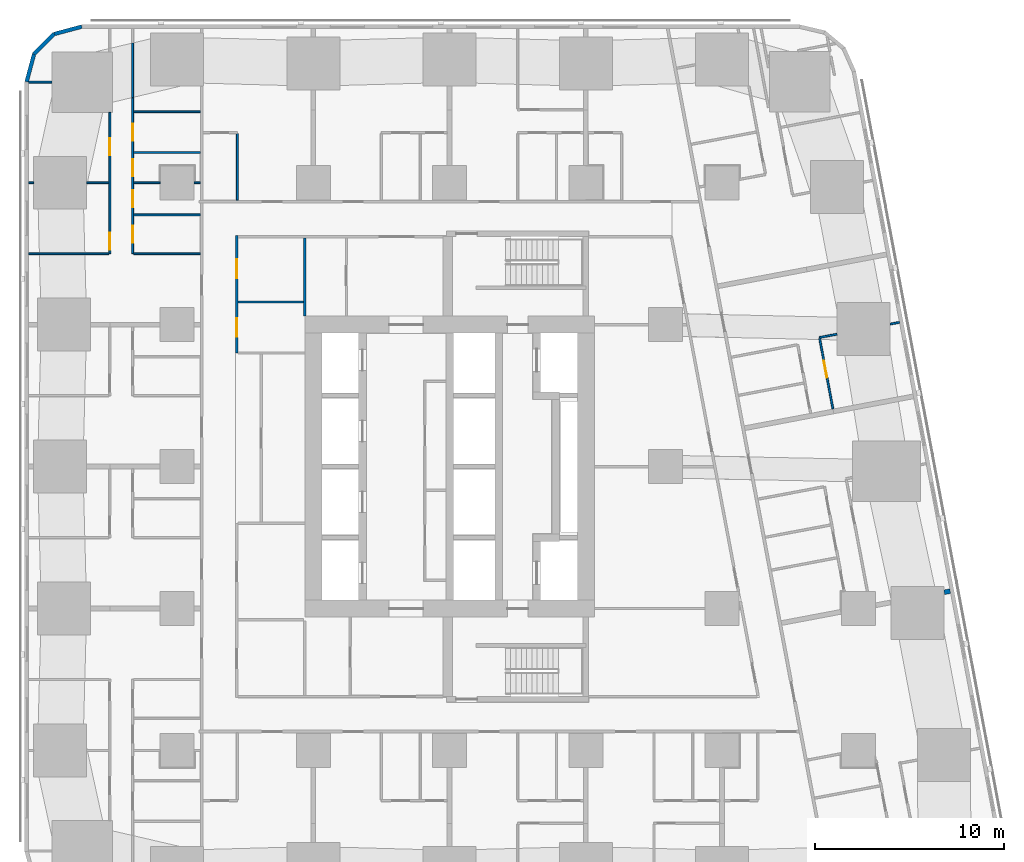
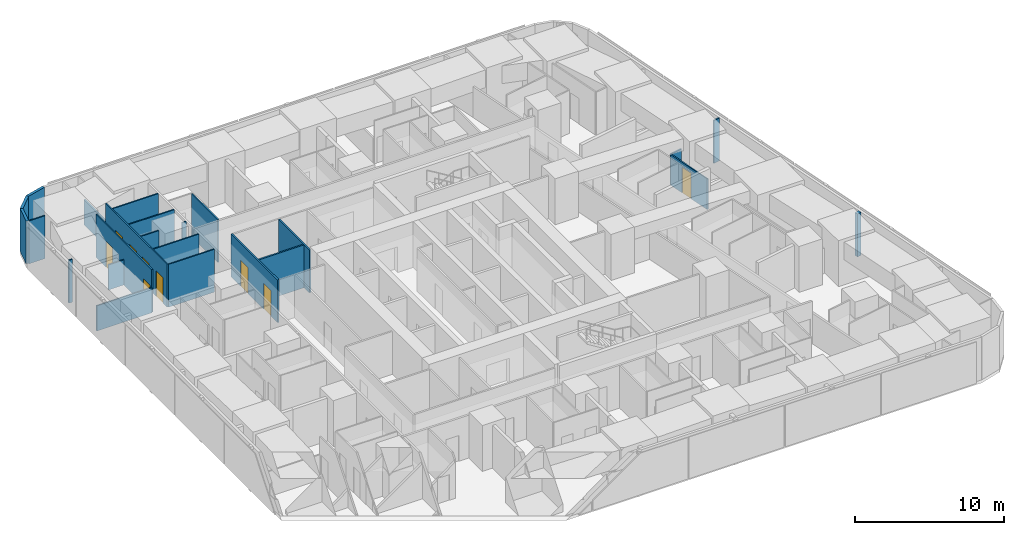
# One storey, part 8 of 15: 24 walls, 9 doors, 9 openings.
"""IFC4 building model written with IfcOpenShell, lengths in metres."""

from ifc_helpers import new_model, si_unit, direction, frame, frame_2d, origin, place, context, subcontext, project, spatial, rectangle, extrude, material, layer, layer_set, type_object, element, fill, save


model = new_model("IFC4")

# Units and contexts
model_context = context("Model", 3, precision=1e-05, world=origin(), true_north=direction((0.0, 1.0)))
body_context = subcontext(model_context, "Body", "Model", "MODEL_VIEW")
ifc_project = project(units=[si_unit("LENGTHUNIT", "METRE"), si_unit("AREAUNIT", "SQUARE_METRE"), si_unit("VOLUMEUNIT", "CUBIC_METRE"), si_unit("PLANEANGLEUNIT", "RADIAN"), si_unit("MASSUNIT", "GRAM", prefix="KILO")], contexts=[model_context])

# Site, building, storey
site_placement = place(None, origin())
site = spatial("IfcSite", under=ifc_project, at=site_placement, CompositionType="ELEMENT")
building_placement = place(site_placement, origin())
building = spatial("IfcBuilding", under=site, at=building_placement, Name="Sheger Commons Tower", CompositionType="ELEMENT")
storey_placement = place(building_placement, frame((0.0, 0.0, 50.0)))
storey = spatial("IfcBuildingStorey", under=building, at=storey_placement, Name="L12", CompositionType="ELEMENT", Elevation=50.0)

# Walls
ifc_material_1 = material(Name="Dense concrete block masonry, plastered both sides (separating wall between flats)", Category="masonry")
ifc_layer_1 = layer(ifc_material_1, 0.25)
ifc_layer_set_1 = layer_set([ifc_layer_1], Name="DEMISING WALL 250")
wall_type_1 = type_object("IfcWallType", Name="DEMISING WALL 250", PredefinedType="SOLIDWALL", material=ifc_layer_set_1)
wall_1_placement = place(storey_placement, frame((48.054931640625, 15.9169921875, 0.0), z_axis=(0.0, 0.0, 1.0), x_axis=(-0.982510408223, -0.186207673669, 0.0)))
element("IfcWall", 1, at=wall_1_placement, inside=storey, type_object=wall_type_1, Name="Demising wall L12", PredefinedType="SOLIDWALL", context=body_context, shape_type="SweptSolid", body=[
    extrude(rectangle(XDim=0.322509765625, YDim=0.25, at=frame_2d((0.1611328125, 0.0))), origin(), (0.0, 0.0, 1.0), 3.5),
])
ifc_material_2 = material(Name="Rendered concrete block masonry, dark grey", Category="masonry")
ifc_layer_2 = layer(ifc_material_2, 0.199951171875)
ifc_layer_set_2 = layer_set([ifc_layer_2], Name="FACADE WALL 200")
wall_type_2 = type_object("IfcWallType", Name="FACADE WALL 200", PredefinedType="SOLIDWALL", material=ifc_layer_set_2)
wall_2_placement = place(storey_placement, frame((2.1630859375, 45.75, 0.0), z_axis=(0.0, 0.0, 1.0), x_axis=(-0.965832000415, -0.259168954497, 0.0)))
element("IfcWall", 2, at=wall_2_placement, inside=storey, type_object=wall_type_2, Name="Facade wall L12", PredefinedType="SOLIDWALL", context=body_context, shape_type="SweptSolid", body=[
    extrude(rectangle(XDim=1.512939453125, YDim=0.199951171875, at=frame_2d((0.75634765625, 0.0))), origin(), (0.0, 0.0, 1.0), 3.5),
])
wall_3_placement = place(storey_placement, frame((0.701904296875, 45.35791015625, 0.0), z_axis=(0.0, 0.0, 1.0), x_axis=(-0.707106781187, -0.707106781187, 0.0)))
element("IfcWall", 3, at=wall_3_placement, inside=storey, type_object=wall_type_2, Name="Facade wall L12", PredefinedType="SOLIDWALL", context=body_context, shape_type="SweptSolid", body=[
    extrude(rectangle(XDim=1.498779296875, YDim=0.199951171875, at=frame_2d((0.74951171875, 0.0))), origin(), (0.0, 0.0, 1.0), 3.5),
])
wall_4_placement = place(storey_placement, frame((-0.35791015625, 44.298095703125, 0.0), z_axis=(0.0, 0.0, 1.0), x_axis=(-0.259168954497, -0.965832000415, 0.0)))
element("IfcWall", 4, at=wall_4_placement, inside=storey, type_object=wall_type_2, Name="Facade wall L12", PredefinedType="SOLIDWALL", context=body_context, shape_type="SweptSolid", body=[
    extrude(rectangle(XDim=1.512939453125, YDim=0.199951171875, at=frame_2d((0.75634765625, 0.0))), origin(), (0.0, 0.0, 1.0), 3.5),
])

# Wall, openings, doors
ifc_material_3 = material(Name="Gypsum board on steel studs", Category="steel")
ifc_layer_3 = layer(ifc_material_3, 0.10009765625)
ifc_layer_set_3 = layer_set([ifc_layer_3], Name="PARTITION 100")
wall_type_3 = type_object("IfcWallType", Name="PARTITION 100", PredefinedType="PARTITIONING", material=ifc_layer_set_3)
wall_5_placement = place(storey_placement, frame((3.64990234375, 33.75, 0.0), z_axis=(0.0, 0.0, 1.0), x_axis=(0.0, 1.0, 0.0)))
wall_5 = element("IfcWall", 5, at=wall_5_placement, inside=storey, type_object=wall_type_3, Name="Partition L12", PredefinedType="PARTITIONING", context=body_context, shape_type="SweptSolid", body=[
    extrude(rectangle(XDim=7.462890625, YDim=0.10009765625, at=frame_2d((3.7314453125, 0.0))), origin(), (0.0, 0.0, 1.0), 3.5),
])
opening_1_placement = place(wall_5_placement, frame((0.199951171875, 0.0, 0.0)))
opening_1 = element("IfcOpeningElement", 6, at=opening_1_placement, cuts=wall_5, Name="Opening D2", PredefinedType="OPENING", context=body_context, shape_type="SweptSolid", body=[
    extrude(rectangle(XDim=0.89990234375, YDim=2.10009765625, at=frame_2d((0.449951171875, 1.050048828125))), frame((0.0, 0.06005859375, 0.0), z_axis=(0.0, -1.0, 0.0), x_axis=(1.0, 0.0, 0.0)), (0.0, 0.0, 1.0), 0.1201171875),
])
opening_2_placement = place(wall_5_placement, frame((5.199951171875, 0.0, 0.0)))
opening_2 = element("IfcOpeningElement", 7, at=opening_2_placement, cuts=wall_5, Name="Opening D2", PredefinedType="OPENING", context=body_context, shape_type="SweptSolid", body=[
    extrude(rectangle(XDim=0.89990234375, YDim=2.10009765625, at=frame_2d((0.449951171875, 1.050048828125))), frame((0.0, 0.06005859375, 0.0), z_axis=(0.0, -1.0, 0.0), x_axis=(1.0, 0.0, 0.0)), (0.0, 0.0, 1.0), 0.1201171875),
])
ifc_material_4 = material(Name="Timber door set", Category="wood")
door_type_1 = type_object("IfcDoorType", Name="INTERNAL DOOR 900x2100", OperationType="NOTDEFINED", PredefinedType="DOOR", material=ifc_material_4)
door_1_placement = place(opening_1_placement, origin())
door_1 = element("IfcDoor", 8, at=door_1_placement, inside=storey, type_object=door_type_1, Name="Main bedroom door", OperationType="SINGLE_SWING_LEFT", OverallHeight=2.10009765625, OverallWidth=0.89990234375, PredefinedType="DOOR", context=body_context, shape_type="SweptSolid", body=[
    extrude(rectangle(XDim=0.89990234375, YDim=2.10009765625, at=frame_2d((0.449951171875, 1.050048828125))), frame((0.0, 0.02490234375, 0.0), z_axis=(0.0, -1.0, 0.0), x_axis=(1.0, 0.0, 0.0)), (0.0, 0.0, 1.0), 0.050048828125),
])
fill(opening_1, door_1)
door_2_placement = place(opening_2_placement, origin())
door_2 = element("IfcDoor", 9, at=door_2_placement, inside=storey, type_object=door_type_1, Name="Bedroom 2 door", OperationType="SINGLE_SWING_RIGHT", OverallHeight=2.10009765625, OverallWidth=0.89990234375, PredefinedType="DOOR", context=body_context, shape_type="SweptSolid", body=[
    extrude(rectangle(XDim=0.89990234375, YDim=2.10009765625, at=frame_2d((0.449951171875, 1.050048828125))), frame((0.0, 0.02490234375, 0.0), z_axis=(0.0, -1.0, 0.0), x_axis=(1.0, 0.0, 0.0)), (0.0, 0.0, 1.0), 0.050048828125),
])
fill(opening_2, door_2)

wall_6_placement = place(storey_placement, frame((4.85009765625, 33.75, 0.0), z_axis=(0.0, 0.0, 1.0), x_axis=(0.0, 1.0, 0.0)))
wall_6 = element("IfcWall", 10, at=wall_6_placement, inside=storey, type_object=wall_type_3, Name="Partition L12", PredefinedType="PARTITIONING", context=body_context, shape_type="SweptSolid", body=[
    extrude(rectangle(XDim=8.243896484375, YDim=0.10009765625, at=frame_2d((4.1220703125, 0.0))), origin(), (0.0, 0.0, 1.0), 3.5),
])
opening_3_placement = place(wall_6_placement, frame((0.574951171875, 0.0, 0.0)))
opening_3 = element("IfcOpeningElement", 11, at=opening_3_placement, cuts=wall_6, Name="Opening D2", PredefinedType="OPENING", context=body_context, shape_type="SweptSolid", body=[
    extrude(rectangle(XDim=0.89990234375, YDim=2.10009765625, at=frame_2d((0.449951171875, 1.050048828125))), frame((0.0, 0.06005859375, 0.0), z_axis=(0.0, -1.0, 0.0), x_axis=(1.0, 0.0, 0.0)), (0.0, 0.0, 1.0), 0.1201171875),
])
opening_4_placement = place(wall_6_placement, frame((4.10009765625, 0.0, 0.0)))
opening_4 = element("IfcOpeningElement", 12, at=opening_4_placement, cuts=wall_6, Name="Opening D2", PredefinedType="OPENING", context=body_context, shape_type="SweptSolid", body=[
    extrude(rectangle(XDim=0.89990234375, YDim=2.10009765625, at=frame_2d((0.449951171875, 1.050048828125))), frame((0.0, 0.06005859375, 0.0), z_axis=(0.0, -1.0, 0.0), x_axis=(1.0, 0.0, 0.0)), (0.0, 0.0, 1.0), 0.1201171875),
])
opening_5_placement = place(wall_6_placement, frame((2.449951171875, 0.0, 0.0)))
opening_5 = element("IfcOpeningElement", 13, at=opening_5_placement, cuts=wall_6, Name="Opening D2", PredefinedType="OPENING", context=body_context, shape_type="SweptSolid", body=[
    extrude(rectangle(XDim=0.89990234375, YDim=2.10009765625, at=frame_2d((0.449951171875, 1.050048828125))), frame((0.0, 0.06005859375, 0.0), z_axis=(0.0, -1.0, 0.0), x_axis=(1.0, 0.0, 0.0)), (0.0, 0.0, 1.0), 0.1201171875),
])
opening_6_placement = place(wall_6_placement, frame((5.97509765625, 0.0, 0.0)))
opening_6 = element("IfcOpeningElement", 14, at=opening_6_placement, cuts=wall_6, Name="Opening D2", PredefinedType="OPENING", context=body_context, shape_type="SweptSolid", body=[
    extrude(rectangle(XDim=0.89990234375, YDim=2.10009765625, at=frame_2d((0.449951171875, 1.050048828125))), frame((0.0, 0.06005859375, 0.0), z_axis=(0.0, -1.0, 0.0), x_axis=(1.0, 0.0, 0.0)), (0.0, 0.0, 1.0), 0.1201171875),
])
door_3_placement = place(opening_3_placement, origin())
door_3 = element("IfcDoor", 15, at=door_3_placement, inside=storey, type_object=door_type_1, Name="Bathroom door", OperationType="SINGLE_SWING_RIGHT", OverallHeight=2.10009765625, OverallWidth=0.89990234375, PredefinedType="DOOR", context=body_context, shape_type="SweptSolid", body=[
    extrude(rectangle(XDim=0.89990234375, YDim=2.10009765625, at=frame_2d((0.449951171875, 1.050048828125))), frame((0.0, 0.02490234375, 0.0), z_axis=(0.0, -1.0, 0.0), x_axis=(1.0, 0.0, 0.0)), (0.0, 0.0, 1.0), 0.050048828125),
])
fill(opening_3, door_3)
door_4_placement = place(opening_4_placement, origin())
door_4 = element("IfcDoor", 16, at=door_4_placement, inside=storey, type_object=door_type_1, Name="Shower room door", OperationType="SINGLE_SWING_RIGHT", OverallHeight=2.10009765625, OverallWidth=0.89990234375, PredefinedType="DOOR", context=body_context, shape_type="SweptSolid", body=[
    extrude(rectangle(XDim=0.89990234375, YDim=2.10009765625, at=frame_2d((0.449951171875, 1.050048828125))), frame((0.0, 0.02490234375, 0.0), z_axis=(0.0, -1.0, 0.0), x_axis=(1.0, 0.0, 0.0)), (0.0, 0.0, 1.0), 0.050048828125),
])
fill(opening_4, door_4)
door_5_placement = place(opening_5_placement, origin())
door_5 = element("IfcDoor", 17, at=door_5_placement, inside=storey, type_object=door_type_1, Name="Store door", OperationType="SINGLE_SWING_RIGHT", OverallHeight=2.10009765625, OverallWidth=0.89990234375, PredefinedType="DOOR", context=body_context, shape_type="SweptSolid", body=[
    extrude(rectangle(XDim=0.89990234375, YDim=2.10009765625, at=frame_2d((0.449951171875, 1.050048828125))), frame((0.0, 0.02490234375, 0.0), z_axis=(0.0, -1.0, 0.0), x_axis=(1.0, 0.0, 0.0)), (0.0, 0.0, 1.0), 0.050048828125),
])
fill(opening_5, door_5)
door_6_placement = place(opening_6_placement, origin())
door_6 = element("IfcDoor", 18, at=door_6_placement, inside=storey, type_object=door_type_1, Name="Store door", OperationType="SINGLE_SWING_LEFT", OverallHeight=2.10009765625, OverallWidth=0.89990234375, PredefinedType="DOOR", context=body_context, shape_type="SweptSolid", body=[
    extrude(rectangle(XDim=0.89990234375, YDim=2.10009765625, at=frame_2d((0.449951171875, 1.050048828125))), frame((0.0, 0.02490234375, 0.0), z_axis=(0.0, -1.0, 0.0), x_axis=(1.0, 0.0, 0.0)), (0.0, 0.0, 1.0), 0.050048828125),
])
fill(opening_6, door_6)

# Walls
wall_7_placement = place(storey_placement, frame((4.85009765625, 41.993896484375, 0.0), z_axis=(0.0, 0.0, 1.0), x_axis=(0.0, 1.0, 0.0)))
element("IfcWall", 19, at=wall_7_placement, inside=storey, type_object=wall_type_3, Name="Partition L12", PredefinedType="PARTITIONING", context=body_context, shape_type="SweptSolid", body=[
    extrude(rectangle(XDim=2.901123046875, YDim=0.10009765625, at=frame_2d((1.45068359375, 0.0))), origin(), (0.0, 0.0, 1.0), 2.050048828125),
])
wall_8_placement = place(storey_placement, frame((-0.64990234375, 33.75, 0.0), z_axis=(0.0, 0.0, 1.0), x_axis=(1.0, 0.0, 0.0)))
element("IfcWall", 20, at=wall_8_placement, inside=storey, type_object=wall_type_3, Name="Partition L12", PredefinedType="PARTITIONING", context=body_context, shape_type="SweptSolid", body=[
    extrude(rectangle(XDim=4.25, YDim=0.10009765625, at=frame_2d((2.125, 0.0))), origin(), (0.0, 0.0, 1.0), 2.050048828125),
])
wall_9_placement = place(storey_placement, frame((-0.64990234375, 37.5, 0.0), z_axis=(0.0, 0.0, 1.0), x_axis=(1.0, 0.0, 0.0)))
element("IfcWall", 21, at=wall_9_placement, inside=storey, type_object=wall_type_3, Name="Partition L12", PredefinedType="PARTITIONING", context=body_context, shape_type="SweptSolid", body=[
    extrude(rectangle(XDim=0.27392578125, YDim=0.10009765625, at=frame_2d((0.136962890625, 0.0))), origin(), (0.0, 0.0, 1.0), 3.5),
])
wall_10_placement = place(storey_placement, frame((2.426025390625, 37.5, 0.0), z_axis=(0.0, 0.0, 1.0), x_axis=(1.0, 0.0, 0.0)))
element("IfcWall", 22, at=wall_10_placement, inside=storey, type_object=wall_type_3, Name="Partition L12", PredefinedType="PARTITIONING", context=body_context, shape_type="SweptSolid", body=[
    extrude(rectangle(XDim=1.174072265625, YDim=0.10009765625, at=frame_2d((0.5869140625, 0.0))), origin(), (0.0, 0.0, 1.0), 2.050048828125),
])
wall_11_placement = place(storey_placement, frame((-0.64990234375, 42.81396484375, 0.0), z_axis=(0.0, 0.0, 1.0), x_axis=(1.0, 0.0, 0.0)))
element("IfcWall", 23, at=wall_11_placement, inside=storey, type_object=wall_type_3, Name="Partition L12", PredefinedType="PARTITIONING", context=body_context, shape_type="SweptSolid", body=[
    extrude(rectangle(XDim=1.23486328125, YDim=0.10009765625, at=frame_2d((0.617431640625, 0.0))), origin(), (0.0, 0.0, 1.0), 3.5),
])
wall_12_placement = place(storey_placement, frame((4.89990234375, 33.75, 0.0), z_axis=(0.0, 0.0, 1.0), x_axis=(1.0, 0.0, 0.0)))
element("IfcWall", 24, at=wall_12_placement, inside=storey, type_object=wall_type_3, Name="Partition L12", PredefinedType="PARTITIONING", context=body_context, shape_type="SweptSolid", body=[
    extrude(rectangle(XDim=3.525146484375, YDim=0.10009765625, at=frame_2d((1.7626953125, 0.0))), origin(), (0.0, 0.0, 1.0), 3.5),
])
wall_13_placement = place(storey_placement, frame((4.89990234375, 37.5, 0.0), z_axis=(0.0, 0.0, 1.0), x_axis=(1.0, 0.0, 0.0)))
element("IfcWall", 25, at=wall_13_placement, inside=storey, type_object=wall_type_3, Name="Partition L12", PredefinedType="PARTITIONING", context=body_context, shape_type="SweptSolid", body=[
    extrude(rectangle(XDim=1.399169921875, YDim=0.10009765625, at=frame_2d((0.69970703125, 0.0))), origin(), (0.0, 0.0, 1.0), 3.5),
])
wall_14_placement = place(storey_placement, frame((8.10107421875, 37.5, 0.0), z_axis=(0.0, 0.0, 1.0), x_axis=(1.0, 0.0, 0.0)))
element("IfcWall", 26, at=wall_14_placement, inside=storey, type_object=wall_type_3, Name="Partition L12", PredefinedType="PARTITIONING", context=body_context, shape_type="SweptSolid", body=[
    extrude(rectangle(XDim=0.323974609375, YDim=0.10009765625, at=frame_2d((0.162109375, 0.0))), origin(), (0.0, 0.0, 1.0), 3.5),
])
for number, where, z_axis, x_axis, name in (
    (27, (4.89990234375, 41.25, 0.0), (0.0, 0.0, 1.0), (1.0, 0.0, 0.0), "Partition L12"),
    (28, (4.89990234375, 35.800048828125, 0.0), (0.0, 0.0, 1.0), (1.0, 0.0, 0.0), "Partition L12"),
    (29, (4.89990234375, 39.10009765625, 0.0), (0.0, 0.0, 1.0), (1.0, 0.0, 0.0), "Partition L12"),
):
    element("IfcWall", number, at=place(storey_placement, frame(where, z_axis=z_axis, x_axis=x_axis)), inside=storey, type_object=wall_type_3, Name=name, PredefinedType="PARTITIONING", context=body_context, shape_type="SweptSolid", body=[
        extrude(rectangle(XDim=3.525146484375, YDim=0.10009765625, at=frame_2d((1.7626953125, 0.0))), origin(), (0.0, 0.0, 1.0), 3.5),
    ])

# Wall, opening, door
wall_15_placement = place(storey_placement, frame((41.156005859375, 29.27294921875, 0.0), z_axis=(0.0, 0.0, 1.0), x_axis=(0.185474762472, -0.982649028131, 0.0)))
wall_15 = element("IfcWall", 30, at=wall_15_placement, inside=storey, type_object=wall_type_3, Name="Partition L12", PredefinedType="PARTITIONING", context=body_context, shape_type="SweptSolid", body=[
    extrude(rectangle(XDim=3.78955078125, YDim=0.10009765625, at=frame_2d((1.894775390625, 0.0))), origin(), (0.0, 0.0, 1.0), 2.5),
])
opening_7_placement = place(wall_15_placement, frame((1.199951171875, 0.0, 0.0)))
opening_7 = element("IfcOpeningElement", 31, at=opening_7_placement, cuts=wall_15, Name="Opening D2", PredefinedType="OPENING", context=body_context, shape_type="SweptSolid", body=[
    extrude(rectangle(XDim=0.89990234375, YDim=2.10009765625, at=frame_2d((0.449951171875, 1.050048828125))), frame((0.0, 0.06005859375, 0.0), z_axis=(0.0, -1.0, 0.0), x_axis=(1.0, 0.0, 0.0)), (0.0, 0.0, 1.0), 0.1201171875),
])
door_7_placement = place(opening_7_placement, origin())
door_7 = element("IfcDoor", 32, at=door_7_placement, inside=storey, type_object=door_type_1, Name="Main bedroom door", OperationType="SINGLE_SWING_LEFT", OverallHeight=2.10009765625, OverallWidth=0.89990234375, PredefinedType="DOOR", context=body_context, shape_type="SweptSolid", body=[
    extrude(rectangle(XDim=0.89990234375, YDim=2.10009765625, at=frame_2d((0.449951171875, 1.050048828125))), frame((0.0, 0.02490234375, 0.0), z_axis=(0.0, -1.0, 0.0), x_axis=(1.0, 0.0, 0.0)), (0.0, 0.0, 1.0), 0.050048828125),
])
fill(opening_7, door_7)

# Walls
wall_16_placement = place(storey_placement, frame((45.3720703125, 30.12109375, 0.0), z_axis=(0.0, 0.0, 1.0), x_axis=(-0.982629142467, -0.185580086147, 0.0)))
element("IfcWall", 33, at=wall_16_placement, inside=storey, type_object=wall_type_3, Name="Partition L12", PredefinedType="PARTITIONING", context=body_context, shape_type="SweptSolid", body=[
    extrude(rectangle(XDim=0.49072265625, YDim=0.10009765625, at=frame_2d((0.245361328125, 0.0))), origin(), (0.0, 0.0, 1.0), 3.5),
])
wall_17_placement = place(storey_placement, frame((42.070068359375, 29.4970703125, 0.0), z_axis=(0.0, 0.0, 1.0), x_axis=(-0.982490624992, -0.186312028067, 0.0)))
element("IfcWall", 34, at=wall_17_placement, inside=storey, type_object=wall_type_3, Name="Partition L12", PredefinedType="PARTITIONING", context=body_context, shape_type="SweptSolid", body=[
    extrude(rectangle(XDim=0.939453125, YDim=0.10009765625, at=frame_2d((0.4697265625, 0.0))), origin(), (0.0, 0.0, 1.0), 2.5),
])
wall_18_placement = place(storey_placement, frame((10.389892578125, 36.574951171875, 0.0), z_axis=(0.0, 0.0, 1.0), x_axis=(0.0, 1.0, 0.0)))
element("IfcWall", 35, at=wall_18_placement, inside=storey, type_object=wall_type_3, Name="Partition L12", PredefinedType="PARTITIONING", context=body_context, shape_type="SweptSolid", body=[
    extrude(rectangle(XDim=3.525146484375, YDim=0.10009765625, at=frame_2d((1.7626953125, 0.0))), origin(), (0.0, 0.0, 1.0), 3.5),
])

# Wall, openings, doors
ifc_material_5 = material(Name="Gypsum board on steel studs, two layers each side, fire rated", Category="steel")
ifc_layer_4 = layer(ifc_material_5, 0.125)
ifc_layer_set_4 = layer_set([ifc_layer_4], Name="SERVICE WALL 125")
wall_type_4 = type_object("IfcWallType", Name="SERVICE WALL 125", PredefinedType="PARTITIONING", material=ifc_layer_set_4)
wall_19_placement = place(storey_placement, frame((10.35009765625, 28.5, 0.0), z_axis=(0.0, 0.0, 1.0), x_axis=(0.0, 1.0, 0.0)))
wall_19 = element("IfcWall", 36, at=wall_19_placement, inside=storey, type_object=wall_type_4, Name="Service room wall L12", PredefinedType="PARTITIONING", context=body_context, shape_type="SweptSolid", body=[
    extrude(rectangle(XDim=6.199951171875, YDim=0.125, at=frame_2d((3.10009765625, 0.0))), origin(), (0.0, 0.0, 1.0), 3.5),
])
opening_8_placement = place(wall_19_placement, frame((0.85009765625, 0.0, 0.0)))
opening_8 = element("IfcOpeningElement", 37, at=opening_8_placement, cuts=wall_19, Name="Opening D4", PredefinedType="OPENING", context=body_context, shape_type="SweptSolid", body=[
    extrude(rectangle(XDim=1.0, YDim=2.10009765625, at=frame_2d((0.5, 1.050048828125))), frame((0.0, 0.072509765625, 0.0), z_axis=(0.0, -1.0, 0.0), x_axis=(1.0, 0.0, 0.0)), (0.0, 0.0, 1.0), 0.14501953125),
])
opening_9_placement = place(wall_19_placement, frame((3.949951171875, 0.0, 0.0)))
opening_9 = element("IfcOpeningElement", 38, at=opening_9_placement, cuts=wall_19, Name="Opening D4", PredefinedType="OPENING", context=body_context, shape_type="SweptSolid", body=[
    extrude(rectangle(XDim=1.0, YDim=2.10009765625, at=frame_2d((0.5, 1.050048828125))), frame((0.0, 0.072509765625, 0.0), z_axis=(0.0, -1.0, 0.0), x_axis=(1.0, 0.0, 0.0)), (0.0, 0.0, 1.0), 0.14501953125),
])
ifc_material_6 = material(Name="Steel door set, fire rated", Category="steel")
door_type_2 = type_object("IfcDoorType", Name="SERVICE DOOR 1000x2100", OperationType="NOTDEFINED", PredefinedType="DOOR", material=ifc_material_6)
door_8_placement = place(opening_8_placement, origin())
door_8 = element("IfcDoor", 39, at=door_8_placement, inside=storey, type_object=door_type_2, Name="Cleaner's store door", OperationType="SINGLE_SWING_RIGHT", OverallHeight=2.10009765625, OverallWidth=1.0, PredefinedType="DOOR", context=body_context, shape_type="SweptSolid", body=[
    extrude(rectangle(XDim=1.0, YDim=2.10009765625, at=frame_2d((0.5, 1.050048828125))), frame((0.0, 0.02490234375, 0.0), z_axis=(0.0, -1.0, 0.0), x_axis=(1.0, 0.0, 0.0)), (0.0, 0.0, 1.0), 0.050048828125),
])
fill(opening_8, door_8)
door_9_placement = place(opening_9_placement, origin())
door_9 = element("IfcDoor", 40, at=door_9_placement, inside=storey, type_object=door_type_2, Name="Linen store door", OperationType="SINGLE_SWING_LEFT", OverallHeight=2.10009765625, OverallWidth=1.0, PredefinedType="DOOR", context=body_context, shape_type="SweptSolid", body=[
    extrude(rectangle(XDim=1.0, YDim=2.10009765625, at=frame_2d((0.5, 1.050048828125))), frame((0.0, 0.02490234375, 0.0), z_axis=(0.0, -1.0, 0.0), x_axis=(1.0, 0.0, 0.0)), (0.0, 0.0, 1.0), 0.050048828125),
])
fill(opening_9, door_9)

# Walls
wall_20_placement = place(storey_placement, frame((10.4130859375, 31.199951171875, 0.0), z_axis=(0.0, 0.0, 1.0), x_axis=(1.0, 0.0, 0.0)))
element("IfcWall", 41, at=wall_20_placement, inside=storey, type_object=wall_type_4, Name="Service room wall L12", PredefinedType="PARTITIONING", context=body_context, shape_type="SweptSolid", body=[
    extrude(rectangle(XDim=3.474853515625, YDim=0.125, at=frame_2d((1.7373046875, 0.0))), origin(), (0.0, 0.0, 1.0), 3.5),
])
wall_21_placement = place(storey_placement, frame((13.949951171875, 30.449951171875, 0.0), z_axis=(0.0, 0.0, 1.0), x_axis=(0.0, 1.0, 0.0)))
element("IfcWall", 42, at=wall_21_placement, inside=storey, type_object=wall_type_4, Name="Service room wall L12", PredefinedType="PARTITIONING", context=body_context, shape_type="SweptSolid", body=[
    extrude(rectangle(XDim=4.136962890625, YDim=0.125, at=frame_2d((2.068359375, 0.0))), origin(), (0.0, 0.0, 1.0), 3.5),
])

save(model, "model.ifc")
